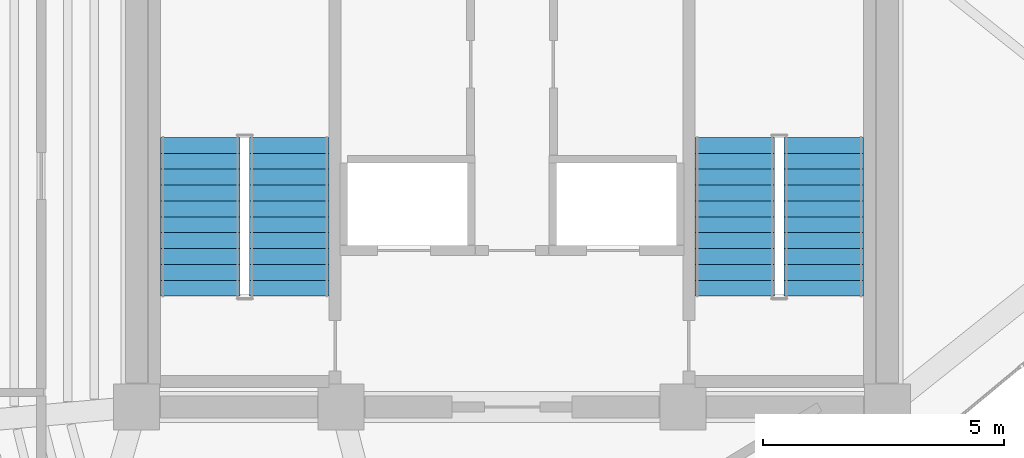
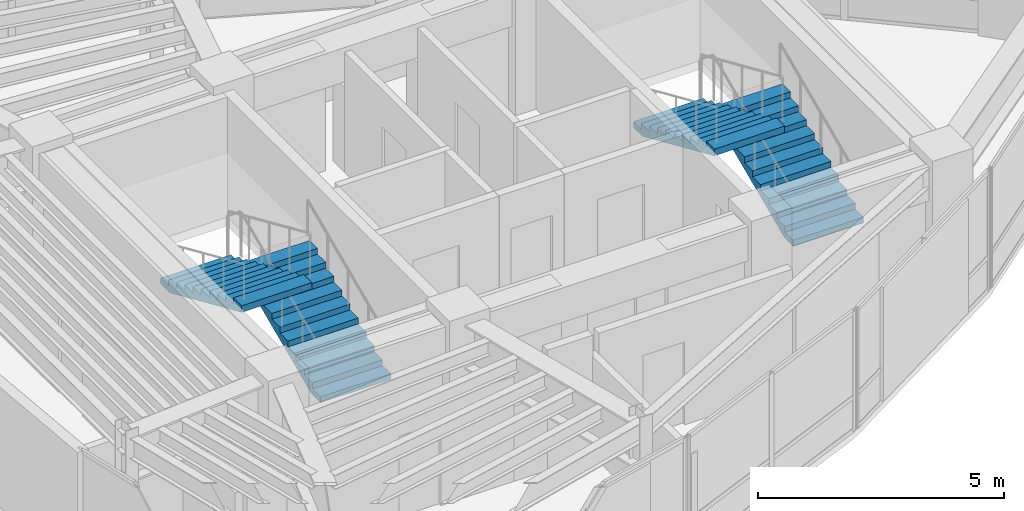
# One storey, part 13 of 14: 4 stair flights, 2 elements without a shape of their own.
"""IFC4 building model written with IfcOpenShell, lengths in metres."""

from ifc_helpers import new_model, si_unit, direction, frame, origin, place, context, subcontext, project, spatial, polyline, outline, extrude, material, type_object, element, aggregate, save


model = new_model("IFC4")

# Units and contexts
model_context = context("Model", 3, precision=1e-05, world=origin(), true_north=direction((0.0, 1.0)))
body_context = subcontext(model_context, "Body", "Model", "MODEL_VIEW")
ifc_project = project(units=[si_unit("LENGTHUNIT", "METRE"), si_unit("AREAUNIT", "SQUARE_METRE"), si_unit("VOLUMEUNIT", "CUBIC_METRE"), si_unit("PLANEANGLEUNIT", "RADIAN"), si_unit("MASSUNIT", "GRAM", prefix="KILO")], contexts=[model_context])

# Site, building, storey
site_placement = place(None, origin())
site = spatial("IfcSite", under=ifc_project, at=site_placement, CompositionType="ELEMENT")
building_placement = place(site_placement, origin())
building = spatial("IfcBuilding", under=site, at=building_placement, Name="Menara Vayukalpa", CompositionType="ELEMENT")
storey_placement = place(building_placement, frame((0.0, 0.0, 312.02001953125)))
storey = spatial("IfcBuildingStorey", under=building, at=storey_placement, Name="L80", CompositionType="ELEMENT", Elevation=312.02001953125)

# Stair, stair flights
ifc_material_1 = material(Name="Precast Concrete C40/50", Category="concrete")
stair_type = type_object("IfcStairType", Name="STR-T07", PredefinedType="DOUBLE_RETURN_STAIR", material=ifc_material_1)
stair_1_placement = place(storey_placement, origin())
stair_1 = element("IfcStair", 1, at=stair_1_placement, inside=storey, type_object=stair_type, Name="L80 Core Exit Stair ST-1", PredefinedType="DOUBLE_RETURN_STAIR")
ifc_material_2 = material(Name="Precast Concrete C40/50", Category="concrete")
stair_flight_type = type_object("IfcStairFlightType", Name="STF-T07", PredefinedType="STRAIGHT", material=ifc_material_2)
stair_flight_1_placement = place(storey_placement, frame((20.97509765625, 19.5, 0.0), z_axis=(0.0, 0.0, 1.0), x_axis=(0.0, 1.0, 0.0)))
stair_flight_1 = element("IfcStairFlight", 2, at=stair_flight_1_placement, type_object=stair_flight_type, Name="ST-1 flight 1", NumberOfRisers=11, NumberOfTreads=10, PredefinedType="STRAIGHT", RiserHeight=0.145454545, TreadLength=0.33, context=body_context, shape_type="SweptSolid", body=[
    extrude(outline(polyline([(0.0, 0.0), (0.0, 0.1455078125), (0.330078125, 0.1455078125), (0.330078125, 0.291015625), (0.659912109375, 0.291015625), (0.659912109375, 0.436279296875), (0.989990234375, 0.436279296875), (0.989990234375, 0.581787109375), (1.320068359375, 0.581787109375), (1.320068359375, 0.727294921875), (1.64990234375, 0.727294921875), (1.64990234375, 0.872802734375), (1.97998046875, 0.872802734375), (1.97998046875, 1.01806640625), (2.31005859375, 1.01806640625), (2.31005859375, 1.16357421875), (2.639892578125, 1.16357421875), (2.639892578125, 1.30908203125), (2.969970703125, 1.30908203125), (2.969970703125, 1.45458984375), (3.300048828125, 1.45458984375), (3.300048828125, 1.60009765625), (3.300048828125, 1.290771484375), (0.37158203125, 0.0), (0.0, 0.0)])), frame((0.0, 0.824951171875, 0.0), z_axis=(0.0, -1.0, 0.0), x_axis=(1.0, 0.0, 0.0)), (0.0, 0.0, 1.0), 1.64990234375),
])
stair_flight_2_placement = place(storey_placement, frame((19.125, 22.800048828125, 1.60009765625), z_axis=(0.0, 0.0, 1.0), x_axis=(0.0, -1.0, 0.0)))
stair_flight_2 = element("IfcStairFlight", 3, at=stair_flight_2_placement, type_object=stair_flight_type, Name="ST-1 flight 2", NumberOfRisers=11, NumberOfTreads=10, PredefinedType="STRAIGHT", RiserHeight=0.145454545, TreadLength=0.33, context=body_context, shape_type="SweptSolid", body=[
    extrude(outline(polyline([(0.0, 0.0), (0.0, 0.1455078125), (0.330078125, 0.1455078125), (0.330078125, 0.291015625), (0.659912109375, 0.291015625), (0.659912109375, 0.436279296875), (0.989990234375, 0.436279296875), (0.989990234375, 0.581787109375), (1.320068359375, 0.581787109375), (1.320068359375, 0.727294921875), (1.64990234375, 0.727294921875), (1.64990234375, 0.872802734375), (1.97998046875, 0.872802734375), (1.97998046875, 1.01806640625), (2.31005859375, 1.01806640625), (2.31005859375, 1.16357421875), (2.639892578125, 1.16357421875), (2.639892578125, 1.30908203125), (2.969970703125, 1.30908203125), (2.969970703125, 1.45458984375), (3.300048828125, 1.45458984375), (3.300048828125, 1.60009765625), (3.300048828125, 1.290771484375), (0.37158203125, 0.0), (0.0, 0.0)])), frame((0.0, 0.824951171875, 0.0), z_axis=(0.0, -1.0, 0.0), x_axis=(1.0, 0.0, 0.0)), (0.0, 0.0, 1.0), 1.64990234375),
])
aggregate(stair_1, [stair_flight_1, stair_flight_2])

stair_2_placement = place(storey_placement, origin())
stair_2 = element("IfcStair", 4, at=stair_2_placement, inside=storey, type_object=stair_type, Name="L80 Core Exit Stair ST-2", PredefinedType="DOUBLE_RETURN_STAIR")
stair_flight_3_placement = place(storey_placement, frame((32.074951171875, 19.5, 0.0), z_axis=(0.0, 0.0, 1.0), x_axis=(0.0, 1.0, 0.0)))
stair_flight_3 = element("IfcStairFlight", 5, at=stair_flight_3_placement, type_object=stair_flight_type, Name="ST-2 flight 1", NumberOfRisers=11, NumberOfTreads=10, PredefinedType="STRAIGHT", RiserHeight=0.145454545, TreadLength=0.33, context=body_context, shape_type="SweptSolid", body=[
    extrude(outline(polyline([(0.0, 0.0), (0.0, 0.1455078125), (0.330078125, 0.1455078125), (0.330078125, 0.291015625), (0.659912109375, 0.291015625), (0.659912109375, 0.436279296875), (0.989990234375, 0.436279296875), (0.989990234375, 0.581787109375), (1.320068359375, 0.581787109375), (1.320068359375, 0.727294921875), (1.64990234375, 0.727294921875), (1.64990234375, 0.872802734375), (1.97998046875, 0.872802734375), (1.97998046875, 1.01806640625), (2.31005859375, 1.01806640625), (2.31005859375, 1.16357421875), (2.639892578125, 1.16357421875), (2.639892578125, 1.30908203125), (2.969970703125, 1.30908203125), (2.969970703125, 1.45458984375), (3.300048828125, 1.45458984375), (3.300048828125, 1.60009765625), (3.300048828125, 1.290771484375), (0.37158203125, 0.0), (0.0, 0.0)])), frame((0.0, 0.824951171875, 0.0), z_axis=(0.0, -1.0, 0.0), x_axis=(1.0, 0.0, 0.0)), (0.0, 0.0, 1.0), 1.64990234375),
])
stair_flight_4_placement = place(storey_placement, frame((30.22509765625, 22.800048828125, 1.60009765625), z_axis=(0.0, 0.0, 1.0), x_axis=(0.0, -1.0, 0.0)))
stair_flight_4 = element("IfcStairFlight", 6, at=stair_flight_4_placement, type_object=stair_flight_type, Name="ST-2 flight 2", NumberOfRisers=11, NumberOfTreads=10, PredefinedType="STRAIGHT", RiserHeight=0.145454545, TreadLength=0.33, context=body_context, shape_type="SweptSolid", body=[
    extrude(outline(polyline([(0.0, 0.0), (0.0, 0.1455078125), (0.330078125, 0.1455078125), (0.330078125, 0.291015625), (0.659912109375, 0.291015625), (0.659912109375, 0.436279296875), (0.989990234375, 0.436279296875), (0.989990234375, 0.581787109375), (1.320068359375, 0.581787109375), (1.320068359375, 0.727294921875), (1.64990234375, 0.727294921875), (1.64990234375, 0.872802734375), (1.97998046875, 0.872802734375), (1.97998046875, 1.01806640625), (2.31005859375, 1.01806640625), (2.31005859375, 1.16357421875), (2.639892578125, 1.16357421875), (2.639892578125, 1.30908203125), (2.969970703125, 1.30908203125), (2.969970703125, 1.45458984375), (3.300048828125, 1.45458984375), (3.300048828125, 1.60009765625), (3.300048828125, 1.290771484375), (0.37158203125, 0.0), (0.0, 0.0)])), frame((0.0, 0.824951171875, 0.0), z_axis=(0.0, -1.0, 0.0), x_axis=(1.0, 0.0, 0.0)), (0.0, 0.0, 1.0), 1.64990234375),
])
aggregate(stair_2, [stair_flight_3, stair_flight_4])

save(model, "model.ifc")
